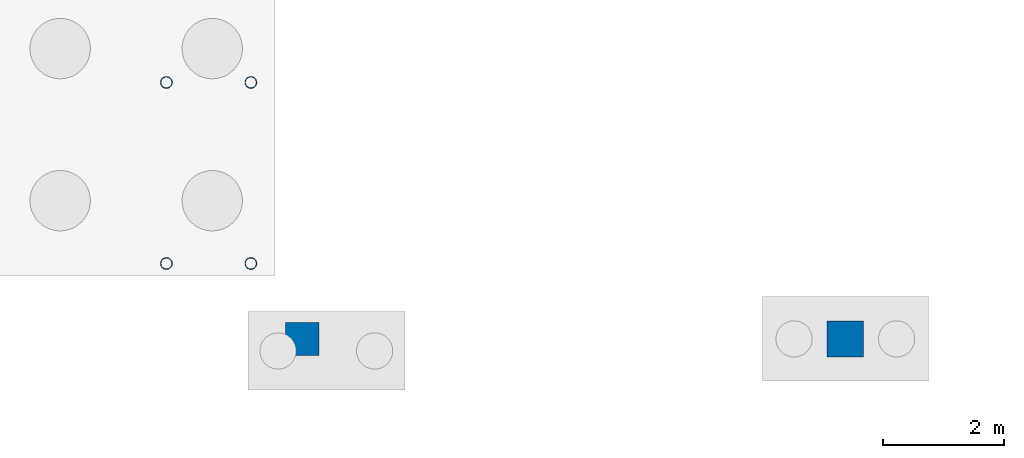
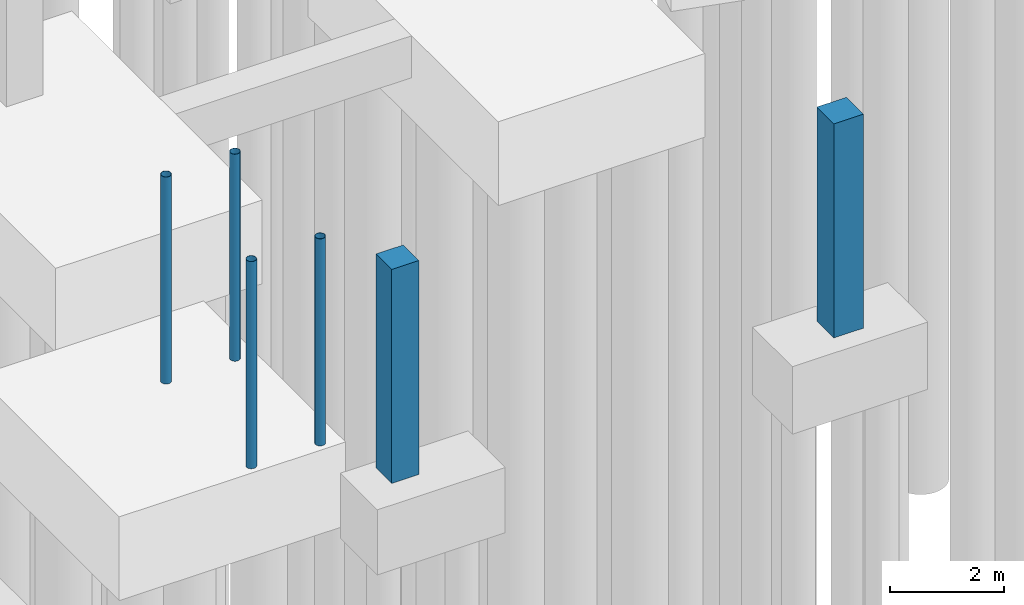
# One storey, part 14 of 36: 6 columns.
"""IFC4 building model written with IfcOpenShell, lengths in metres."""

from ifc_helpers import new_model, si_unit, derived_unit, direction, frame, origin, origin_2d, place, context, subcontext, project, spatial, rectangle, hollow_circle, extrude, material, material_profile, profile_set, type_object, element, save


model = new_model("IFC4")

# Units and contexts
model_context = context("Model", 3, precision=1e-05, world=origin(), true_north=direction((0.0, 1.0)))
body_context = subcontext(model_context, "Body", "Model", "MODEL_VIEW")
ifc_project = project(units=[si_unit("LENGTHUNIT", "METRE"), si_unit("AREAUNIT", "SQUARE_METRE"), si_unit("VOLUMEUNIT", "CUBIC_METRE"), si_unit("PLANEANGLEUNIT", "RADIAN"), si_unit("MASSUNIT", "GRAM", prefix="KILO"), si_unit("THERMODYNAMICTEMPERATUREUNIT", "KELVIN"), si_unit("TIMEUNIT", "SECOND"), derived_unit("THERMALTRANSMITTANCEUNIT", [(si_unit("MASSUNIT", "GRAM", prefix="KILO"), 1), (si_unit("THERMODYNAMICTEMPERATUREUNIT", "KELVIN"), -1), (si_unit("TIMEUNIT", "SECOND"), -3)])], contexts=[model_context])

# Site, building, storey
site_placement = place(None, origin())
site = spatial("IfcSite", under=ifc_project, at=site_placement, CompositionType="ELEMENT")
building_placement = place(site_placement, origin())
building = spatial("IfcBuilding", under=site, at=building_placement, Name="Cambertide Market Hall", CompositionType="ELEMENT")
storey_placement = place(building_placement, frame((0.0, 0.0, -4.199951171875)))
storey = spatial("IfcBuildingStorey", under=building, at=storey_placement, Name="B1", CompositionType="ELEMENT", Elevation=-4.199951171875)

# Columns
ifc_material_1 = material(Name="Concrete B30", Category="concrete")
ifc_material_profile_1 = material_profile(ifc_material_1, rectangle(XDim=0.550048828125, YDim=0.550048828125, at=origin_2d()), Name="RC 550x550")
ifc_profile_set_1 = profile_set([ifc_material_profile_1], Name="Concrete B30")
column_type_1 = type_object("IfcColumnType", Name="Concrete Column RC 550x550", PredefinedType="COLUMN", material=ifc_profile_set_1)
column_1_placement = place(storey_placement, frame((96.0, 78.5, -0.400146484375), z_axis=(0.0, 0.0, 1.0), x_axis=(1.0, 0.0, 0.0)))
element("IfcColumn", 1, at=column_1_placement, inside=storey, type_object=column_type_1, Name="Basement 1 Column COL-V1-MN7-B1", PredefinedType="COLUMN", context=body_context, shape_type="SweptSolid", body=[
    extrude(rectangle(XDim=0.550048828125, YDim=0.550048828125, at=origin_2d()), origin(), (0.0, 0.0, 1.0), 4.60009765625),
])
ifc_material_2 = material(Name="Concrete B35", Category="concrete")
ifc_material_profile_2 = material_profile(ifc_material_2, rectangle(XDim=0.60009765625, YDim=0.60009765625, at=origin_2d()), Name="RC 600x600")
ifc_profile_set_2 = profile_set([ifc_material_profile_2], Name="Concrete B35")
column_type_2 = type_object("IfcColumnType", Name="Concrete Column RC 600x600", PredefinedType="COLUMN", material=ifc_profile_set_2)
column_2_placement = place(storey_placement, frame((105.0, 78.5, -0.400146484375), z_axis=(0.0, 0.0, 1.0), x_axis=(1.0, 0.0, 0.0)))
element("IfcColumn", 2, at=column_2_placement, inside=storey, type_object=column_type_2, Name="Basement 1 Column COL-V1-MN8-B1", PredefinedType="COLUMN", context=body_context, shape_type="SweptSolid", body=[
    extrude(rectangle(XDim=0.60009765625, YDim=0.60009765625, at=origin_2d()), origin(), (0.0, 0.0, 1.0), 4.60009765625),
])
ifc_material_3 = material(Name="Steel S355", Category="steel")
ifc_material_profile_3 = material_profile(ifc_material_3, hollow_circle(Radius=0.096923828125, WallThickness=0.00634765625, at=origin_2d()), Name="CHS 193.7x6.3")
ifc_profile_set_3 = profile_set([ifc_material_profile_3], Name="Steel S355")
column_type_3 = type_object("IfcColumnType", Name="Steel Column CHS 193.7x6.3", PredefinedType="COLUMN", material=ifc_profile_set_3)
for number, where, z_axis, x_axis, name in (
    (3, (93.75, 79.75, -0.25), (0.0, 0.0, 1.0), (1.0, 0.0, 0.0), "Basement 1 Column COL-MPST-ST11-1-B1"),
    (4, (93.75, 82.75, -0.25), (0.0, 0.0, 1.0), (1.0, 0.0, 0.0), "Basement 1 Column COL-MPST-ST11-2-B1"),
    (5, (95.14990234375, 79.75, -0.25), (0.0, 0.0, 1.0), (1.0, 0.0, 0.0), "Basement 1 Column COL-MPST-ST11-3-B1"),
    (6, (95.14990234375, 82.75, -0.25), (0.0, 0.0, 1.0), (1.0, 0.0, 0.0), "Basement 1 Column COL-MPST-ST11-4-B1"),
):
    element("IfcColumn", number, at=place(storey_placement, frame(where, z_axis=z_axis, x_axis=x_axis)), inside=storey, type_object=column_type_3, Name=name, PredefinedType="COLUMN", context=body_context, shape_type="SweptSolid", body=[
        extrude(hollow_circle(Radius=0.096923828125, WallThickness=0.00634765625, at=origin_2d()), origin(), (0.0, 0.0, 1.0), 4.449951171875),
    ])

save(model, "model.ifc")
